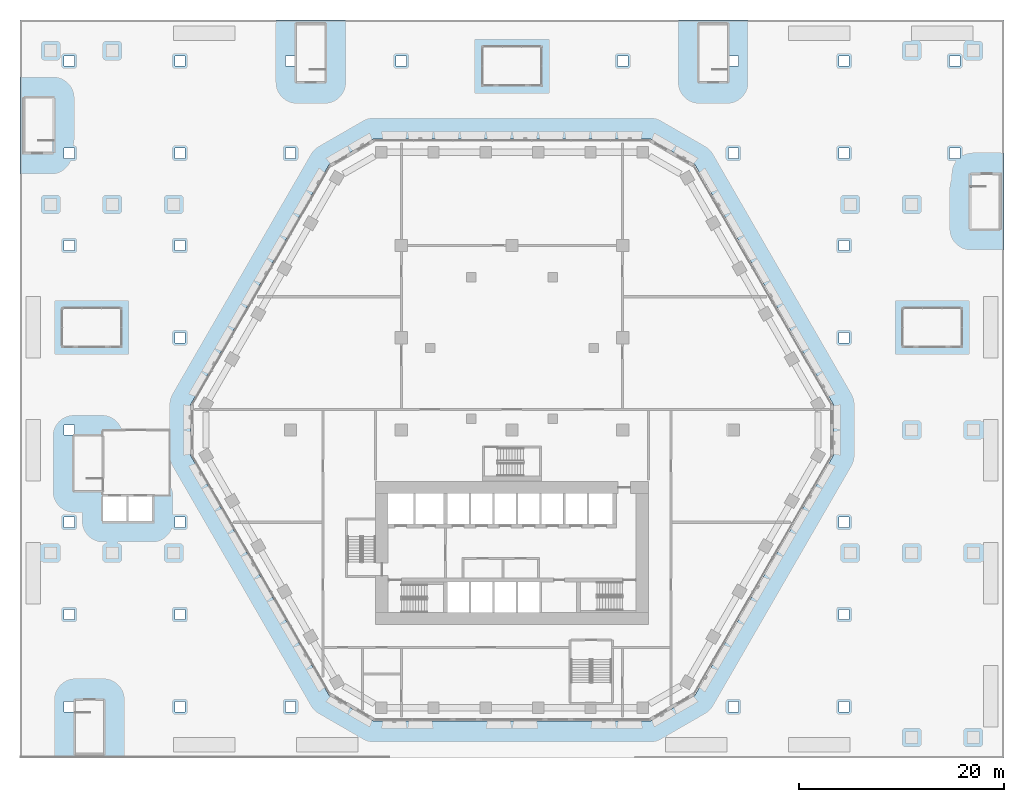
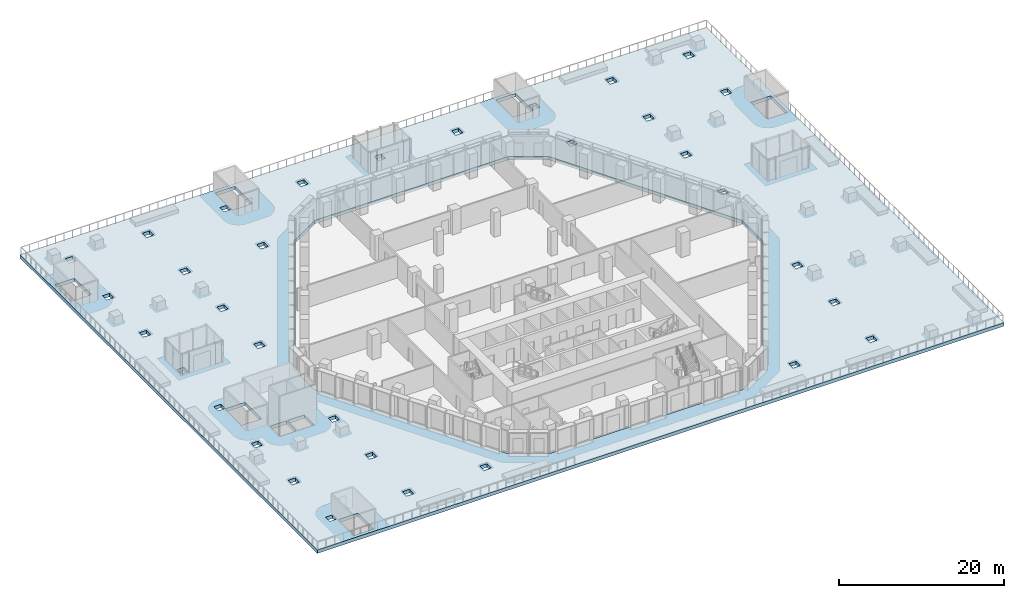
# One storey, part 18 of 38: 1 slab.
"""IFC4 building model written with IfcOpenShell, lengths in metres."""

from ifc_helpers import new_model, si_unit, direction, frame, origin, place, context, subcontext, project, spatial, polyline, outline, extrude, material, layer, layer_set, type_object, element, save


model = new_model("IFC4")

# Units and contexts
model_context = context("Model", 3, precision=1e-05, world=origin(), true_north=direction((0.0, 1.0)))
body_context = subcontext(model_context, "Body", "Model", "MODEL_VIEW")
ifc_project = project(units=[si_unit("LENGTHUNIT", "METRE"), si_unit("AREAUNIT", "SQUARE_METRE"), si_unit("VOLUMEUNIT", "CUBIC_METRE"), si_unit("PLANEANGLEUNIT", "RADIAN"), si_unit("MASSUNIT", "GRAM", prefix="KILO")], contexts=[model_context])

# Site, building, storey
site_placement = place(None, origin())
site = spatial("IfcSite", under=ifc_project, at=site_placement, CompositionType="ELEMENT")
building_placement = place(site_placement, origin())
building = spatial("IfcBuilding", under=site, at=building_placement, Name="Beryl Residences", CompositionType="ELEMENT")
storey_placement = place(building_placement, frame((0.0, 0.0, 9.0)))
storey = spatial("IfcBuildingStorey", under=building, at=storey_placement, Name="L02", CompositionType="ELEMENT", Elevation=9.0)

# Slab
ifc_material = material(Name="Concrete C40/50", Category="concrete")
ifc_layer = layer(ifc_material, 0.5)
ifc_layer_set = layer_set([ifc_layer], Name="SL4 garden deck slab 500 mm C40/50")
slab_type = type_object("IfcSlabType", Name="SL4 garden deck slab 500 mm C40/50", PredefinedType="FLOOR", material=ifc_layer_set)
slab_placement = place(storey_placement, frame((0.0, 0.0, -0.5)))
element("IfcSlab", 1, at=slab_placement, inside=storey, type_object=slab_type, Name="DECK 1", PredefinedType="FLOOR", context=body_context, shape_type="SweptSolid", body=[
    extrude(outline(polyline([(48.0, 40.0), (48.0, -32.0), (-48.0, -32.0), (-48.0, 40.0), (48.0, 40.0)]), holes=[polyline([(47.5, 19.60009765625), (47.5, 23.60009765625), (44.75, 23.60009765625), (44.75, 19.60009765625), (47.5, 19.60009765625)]), polyline([(43.699951171875, 27.5), (42.699951171875, 27.5), (42.699951171875, 26.5), (43.699951171875, 26.5), (43.699951171875, 27.5)]), polyline([(42.699951171875, 36.5), (42.699951171875, 35.5), (43.699951171875, 35.5), (43.699951171875, 36.5), (42.699951171875, 36.5)]), polyline([(31.89990234375, -17.5), (31.89990234375, -18.5), (32.89990234375, -18.5), (32.89990234375, -17.5), (31.89990234375, -17.5)]), polyline([(31.89990234375, 18.5), (31.89990234375, 17.5), (32.89990234375, 17.5), (32.89990234375, 18.5), (31.89990234375, 18.5)]), polyline([(31.89990234375, 26.5), (32.89990234375, 26.5), (32.89990234375, 27.5), (31.89990234375, 27.5), (31.89990234375, 26.5)]), polyline([(32.89990234375, -26.5), (31.89990234375, -26.5), (31.89990234375, -27.5), (32.89990234375, -27.5), (32.89990234375, -26.5)]), polyline([(32.89990234375, -8.5), (31.89990234375, -8.5), (31.89990234375, -9.5), (32.89990234375, -9.5), (32.89990234375, -8.5)]), polyline([(32.89990234375, 9.5), (31.89990234375, 9.5), (31.89990234375, 8.5), (32.89990234375, 8.5), (32.89990234375, 9.5)]), polyline([(32.89990234375, 36.5), (31.89990234375, 36.5), (31.89990234375, 35.5), (32.89990234375, 35.5), (32.89990234375, 36.5)]), polyline([(-31.35009765625, 2.5), (-31.35009765625, -2.5), (-17.840087890625, -25.89990234375), (-13.510009765625, -28.39990234375), (13.510009765625, -28.39990234375), (17.840087890625, -25.89990234375), (31.35009765625, -2.5), (31.35009765625, 2.5), (17.840087890625, 25.89990234375), (13.510009765625, 28.39990234375), (-13.510009765625, 28.39990234375), (-17.840087890625, 25.89990234375), (-31.35009765625, 2.5)]), polyline([(22.10009765625, 36.5), (21.10009765625, 36.5), (21.10009765625, 35.5), (22.10009765625, 35.5), (22.10009765625, 36.5)]), polyline([(22.10009765625, 27.5), (21.10009765625, 27.5), (21.10009765625, 26.5), (22.10009765625, 26.5), (22.10009765625, 27.5)]), polyline([(21.10009765625, -26.5), (21.10009765625, -27.5), (22.10009765625, -27.5), (22.10009765625, -26.5), (21.10009765625, -26.5)]), polyline([(18.25, 39.5), (18.25, 35.300048828125), (21.0, 35.300048828125), (21.0, 39.5), (18.25, 39.5)]), polyline([(11.300048828125, 36.5), (10.300048828125, 36.5), (10.300048828125, 35.5), (11.300048828125, 35.5), (11.300048828125, 36.5)]), polyline([(-0.5, 36.5), (-0.5, 35.5), (0.5, 35.5), (0.5, 36.5), (-0.5, 36.5)]), polyline([(-11.300048828125, 36.5), (-11.300048828125, 35.5), (-10.300048828125, 35.5), (-10.300048828125, 36.5), (-11.300048828125, 36.5)]), polyline([(-18.25, 35.300048828125), (-18.25, 39.5), (-21.0, 39.5), (-21.0, 35.300048828125), (-18.25, 35.300048828125)]), polyline([(-22.10009765625, -26.5), (-22.10009765625, -27.5), (-21.10009765625, -27.5), (-21.10009765625, -26.5), (-22.10009765625, -26.5)]), polyline([(-21.10009765625, 27.5), (-22.10009765625, 27.5), (-22.10009765625, 26.5), (-21.10009765625, 26.5), (-21.10009765625, 27.5)]), polyline([(-22.10009765625, 36.5), (-22.10009765625, 35.5), (-21.10009765625, 35.5), (-21.10009765625, 36.5), (-22.10009765625, 36.5)]), polyline([(-31.89990234375, 18.5), (-32.89990234375, 18.5), (-32.89990234375, 17.5), (-31.89990234375, 17.5), (-31.89990234375, 18.5)]), polyline([(-31.89990234375, 9.5), (-32.89990234375, 9.5), (-32.89990234375, 8.5), (-31.89990234375, 8.5), (-31.89990234375, 9.5)]), polyline([(-31.89990234375, -8.5), (-32.89990234375, -8.5), (-32.89990234375, -9.5), (-31.89990234375, -9.5), (-31.89990234375, -8.5)]), polyline([(-32.89990234375, 36.5), (-32.89990234375, 35.5), (-31.89990234375, 35.5), (-31.89990234375, 36.5), (-32.89990234375, 36.5)]), polyline([(-32.89990234375, 27.5), (-32.89990234375, 26.5), (-31.89990234375, 26.5), (-31.89990234375, 27.5), (-32.89990234375, 27.5)]), polyline([(-32.89990234375, -18.5), (-31.89990234375, -18.5), (-31.89990234375, -17.5), (-32.89990234375, -17.5), (-32.89990234375, -18.5)]), polyline([(-32.89990234375, -26.5), (-32.89990234375, -27.5), (-31.89990234375, -27.5), (-31.89990234375, -26.5), (-32.89990234375, -26.5)]), polyline([(-37.39990234375, -6.5), (-37.39990234375, -8.89990234375), (-35.10009765625, -8.89990234375), (-35.10009765625, -6.5), (-37.39990234375, -6.5)]), polyline([(-37.60009765625, -8.89990234375), (-37.60009765625, -6.5), (-39.89990234375, -6.5), (-39.89990234375, -8.89990234375), (-37.60009765625, -8.89990234375)]), polyline([(-42.60009765625, -27.699951171875), (-42.60009765625, -31.5), (-39.85009765625, -31.5), (-39.85009765625, -27.699951171875), (-42.60009765625, -27.699951171875)]), polyline([(-42.75, -0.60009765625), (-42.75, -4.60009765625), (-40.0, -4.60009765625), (-40.0, -0.60009765625), (-42.75, -0.60009765625)]), polyline([(-43.699951171875, -26.5), (-43.699951171875, -27.5), (-42.699951171875, -27.5), (-42.699951171875, -26.5), (-43.699951171875, -26.5)]), polyline([(-43.699951171875, 0.5), (-43.699951171875, -0.5), (-42.699951171875, -0.5), (-42.699951171875, 0.5), (-43.699951171875, 0.5)]), polyline([(-43.699951171875, 18.5), (-43.699951171875, 17.5), (-42.699951171875, 17.5), (-42.699951171875, 18.5), (-43.699951171875, 18.5)]), polyline([(-43.699951171875, 35.5), (-42.699951171875, 35.5), (-42.699951171875, 36.5), (-43.699951171875, 36.5), (-43.699951171875, 35.5)]), polyline([(-42.699951171875, -17.5), (-43.699951171875, -17.5), (-43.699951171875, -18.5), (-42.699951171875, -18.5), (-42.699951171875, -17.5)]), polyline([(-42.699951171875, -8.5), (-43.699951171875, -8.5), (-43.699951171875, -9.5), (-42.699951171875, -9.5), (-42.699951171875, -8.5)]), polyline([(-42.699951171875, 9.5), (-43.699951171875, 9.5), (-43.699951171875, 8.5), (-42.699951171875, 8.5), (-42.699951171875, 9.5)]), polyline([(-42.699951171875, 27.5), (-43.699951171875, 27.5), (-43.699951171875, 26.5), (-42.699951171875, 26.5), (-42.699951171875, 27.5)]), polyline([(-47.5, 32.39990234375), (-47.5, 28.39990234375), (-44.75, 28.39990234375), (-44.75, 32.39990234375), (-47.5, 32.39990234375)])]), origin(), (0.0, 0.0, 1.0), 0.5),
])

save(model, "model.ifc")
